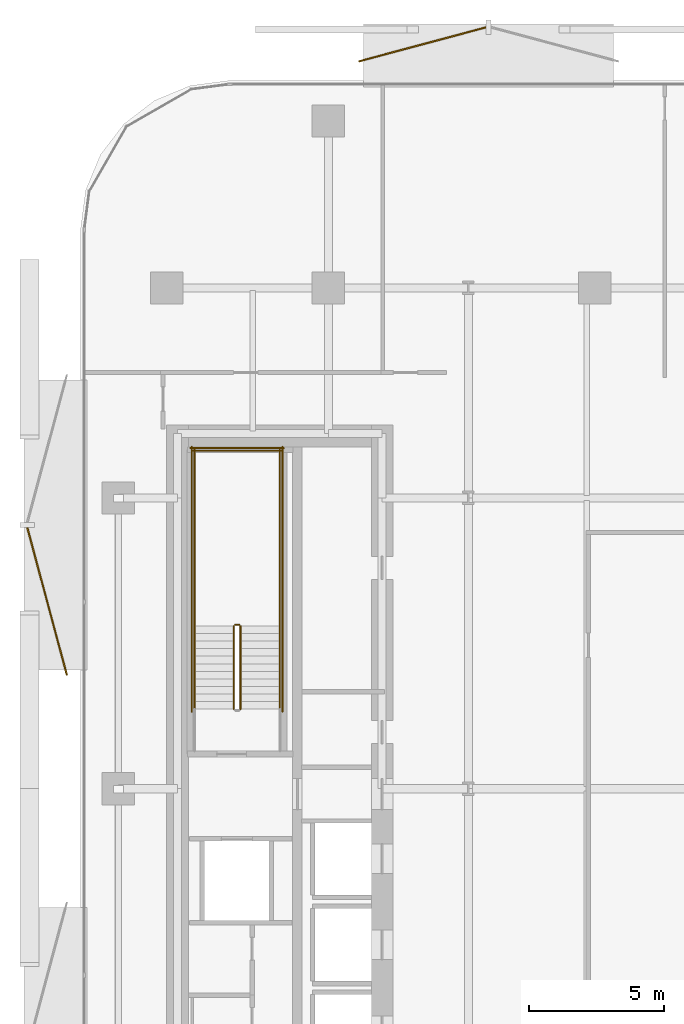
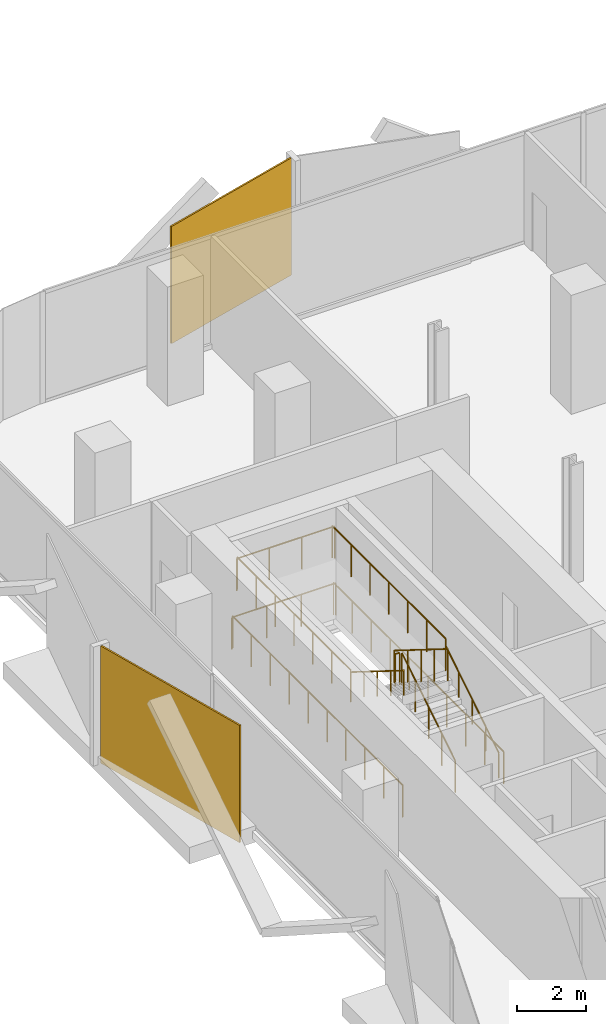
# One storey, part 14 of 15: 11 railings, 2 coverings.
"""IFC4 building model written with IfcOpenShell, lengths in metres."""

import ifcopenshell
import ifcopenshell.guid

model = None  # the IFC model being written
_history = None  # IfcOwnerHistory: only IFC2X3 demands one
_inside = {}  # id of a spatial element -> (the spatial element, [elements in it])
_under = {}  # id of a project, library or spatial element -> (it, [spatial elements below it])
_declared = {}  # id of a project -> (the project, [libraries it declares])
_typed = {}  # id of a type object -> (the type object, [elements of that type])
_made_of = {}  # id of a material, layer set ... -> (it, [elements and type objects made of it])


def new_model(schema):
    """Start an empty IFC model of exactly this schema.

    Asked for "IFC4X3", IfcOpenShell would pick the latest addendum, in which some entities
    have other attributes; the version numbers below select the first issue.
    IFC2X3 requires an IfcOwnerHistory on every rooted entity: one is made here for all.
    """
    global model, _history
    if schema == "IFC4X3":
        model = ifcopenshell.file(schema_version=(4, 3, 0, 0))
    else:
        model = ifcopenshell.file(schema=schema)
    _inside.clear()
    _under.clear()
    _declared.clear()
    _typed.clear()
    _made_of.clear()
    _history = None
    if model.schema == "IFC2X3":
        org = make("IfcOrganization", Name="unknown")
        user = make(
            "IfcPersonAndOrganization",
            ThePerson=make("IfcPerson", FamilyName="unknown"),
            TheOrganization=org,
        )
        app = make(
            "IfcApplication",
            ApplicationDeveloper=org,
            Version="unknown",
            ApplicationFullName="unknown",
            ApplicationIdentifier="unknown",
        )
        _history = make(
            "IfcOwnerHistory",
            OwningUser=user,
            OwningApplication=app,
            ChangeAction="ADDED",
            CreationDate=0,
        )
    return model


def make(cls, **values):
    """One entity of the class cls with the attributes given. An attribute that is None is left unset."""
    return model.create_entity(
        cls, **{name: value for name, value in values.items() if value is not None}
    )


def rooted(cls, **values):
    """An entity with a GlobalId (a new one), such as an element, a storey or a relation."""
    return make(cls, GlobalId=ifcopenshell.guid.new(), OwnerHistory=_history, **values)


def si_unit(unit_type, name, prefix=None):
    """IfcSIUnit, for example si_unit("LENGTHUNIT", "METRE", prefix="MILLI")."""
    return make("IfcSIUnit", UnitType=unit_type, Prefix=prefix, Name=name)


def assignment(units):
    """IfcUnitAssignment: the units of a project."""
    return None if units is None else make("IfcUnitAssignment", Units=units)


def point(xyz):
    """IfcCartesianPoint."""
    return None if xyz is None else make("IfcCartesianPoint", Coordinates=xyz)


def direction(xyz):
    """IfcDirection."""
    return None if xyz is None else make("IfcDirection", DirectionRatios=xyz)


def frame(location, z_axis=None, x_axis=None):
    """IfcAxis2Placement3D, a coordinate frame: its origin and axes. An axis left out is left unset."""
    return make(
        "IfcAxis2Placement3D",
        Location=point(location),
        Axis=direction(z_axis),
        RefDirection=direction(x_axis),
    )


def frame_2d(location, x_axis=None):
    """IfcAxis2Placement2D, a coordinate frame in the plane: its origin and x axis."""
    return make(
        "IfcAxis2Placement2D", Location=point(location), RefDirection=direction(x_axis)
    )


def origin():
    """The frame at (0, 0, 0) with its axes left unset."""
    return frame((0.0, 0.0, 0.0))


def origin_2d():
    """The frame at (0, 0) in the plane with its x axis left unset."""
    return frame_2d((0.0, 0.0))


def place(relative_to, where):
    """IfcLocalPlacement: puts the frame where relative to a parent placement (None: the world)."""
    return make(
        "IfcLocalPlacement", PlacementRelTo=relative_to, RelativePlacement=where
    )


def context(
    kind, dimensions, precision=None, world=None, true_north=None, identifier=None
):
    """IfcGeometricRepresentationContext, for example the 3D "Model" context."""
    return make(
        "IfcGeometricRepresentationContext",
        ContextIdentifier=identifier,
        ContextType=kind,
        CoordinateSpaceDimension=dimensions,
        Precision=precision,
        WorldCoordinateSystem=world,
        TrueNorth=true_north,
    )


def subcontext(parent, identifier, kind, view, scale=None):
    """IfcGeometricRepresentationSubContext, for example "Body" below "Model"."""
    return make(
        "IfcGeometricRepresentationSubContext",
        ContextIdentifier=identifier,
        ContextType=kind,
        ParentContext=parent,
        TargetScale=scale,
        TargetView=view,
    )


def project(units=None, contexts=None):
    """IfcProject with its units and contexts."""
    return rooted(
        "IfcProject",
        Name="project",
        RepresentationContexts=contexts,
        UnitsInContext=assignment(units),
    )


def spatial(cls, under=None, at=None, **own):
    """A site, building, storey or space (cls), placed at a placement, below another one or the project."""
    s = rooted(cls, ObjectPlacement=at, **own)
    if under is not None:
        _under.setdefault(under.id(), (under, []))[1].append(s)
    return s


def profile(cls, at=None, kind="AREA", **sizes):
    """A parametric profile (cls). Its sizes go by their IFC names, for example OverallWidth=200.0."""
    return make(cls, ProfileType=kind, Position=at, **sizes)


def rectangle(**sizes):
    """IfcRectangleProfileDef."""
    return profile("IfcRectangleProfileDef", **sizes)


def circle(**sizes):
    """IfcCircleProfileDef."""
    return profile("IfcCircleProfileDef", **sizes)


def extrude(swept, where, along, depth):
    """IfcExtrudedAreaSolid: the profile swept, set in the frame where, extruded along a direction by depth."""
    return make(
        "IfcExtrudedAreaSolid",
        SweptArea=swept,
        Position=where,
        ExtrudedDirection=direction(along),
        Depth=depth,
    )


def shape(context_of_items, identifier, shape_type, items):
    """IfcShapeRepresentation: the items that make up one representation, for example the "Body"."""
    return make(
        "IfcShapeRepresentation",
        ContextOfItems=context_of_items,
        RepresentationIdentifier=identifier,
        RepresentationType=shape_type,
        Items=items,
    )


def material(Name=None, Category=None):
    """IfcMaterial."""
    return make("IfcMaterial", Name=Name, Category=Category)


def layer(
    of_material, thickness, ventilated=None, Name=None, Category=None, Priority=None
):
    """IfcMaterialLayer: one layer of a wall or slab, of a material (None: an air gap)."""
    return make(
        "IfcMaterialLayer",
        Material=of_material,
        LayerThickness=thickness,
        IsVentilated=ventilated,
        Name=Name,
        Category=Category,
        Priority=Priority,
    )


def layer_set(layers, Name=None):
    """IfcMaterialLayerSet."""
    return make("IfcMaterialLayerSet", MaterialLayers=layers, LayerSetName=Name)


def made_of(thing, what):
    """Note that an element or type object is made of a material, layer set ...; save() writes the relation."""
    if what is not None:
        _made_of.setdefault(what.id(), (what, []))[1].append(thing)
    return thing


def type_object(cls, material=None, **own):
    """A type object (cls), such as IfcWallType, which elements share."""
    return made_of(rooted(cls, **own), material)


def element(
    cls,
    number,
    at=None,
    inside=None,
    cuts=None,
    type_object=None,
    material=None,
    context=None,
    identifier="Body",
    shape_type=None,
    held_by="IfcProductDefinitionShape",
    body=None,
    shapes=None,
    **own,
):
    """One element of the class cls, such as IfcWall. Its Tag is "e" and its number.

    at: its placement. inside: the storey or other place that contains it. cuts: it is an
    opening in that element (IfcRelVoidsElement). A single representation is given by context,
    identifier, shape_type and body (its items); several are given by shapes. held_by: the class
    of the entity that holds the representations. save() writes the other relations.
    """
    e = rooted(cls, Tag="e%d" % number, ObjectPlacement=at, **own)
    if body is not None:
        shapes = [shape(context, identifier, shape_type, body)]
    if shapes is not None:
        e.Representation = make(held_by, Representations=shapes)
    if inside is not None:
        _inside.setdefault(inside.id(), (inside, []))[1].append(e)
    if cuts is not None:
        rooted(
            "IfcRelVoidsElement", RelatingBuildingElement=cuts, RelatedOpeningElement=e
        )
    if type_object is not None:
        _typed.setdefault(type_object.id(), (type_object, []))[1].append(e)
    return made_of(e, material)


def aggregate(whole, parts):
    """IfcRelAggregates: a whole, such as a stair, and the parts it consists of."""
    return rooted("IfcRelAggregates", RelatingObject=whole, RelatedObjects=parts)


def save(model, path):
    """Write the relations noted so far, then the file.

    IfcRelAggregates (storeys below a building ...), IfcRelContainedInSpatialStructure (elements
    in a storey), IfcRelDefinesByType, IfcRelAssociatesMaterial and IfcRelDeclares: one each for
    every whole, place, type object, material and project.
    """
    for whole, parts in _under.values():
        aggregate(whole, parts)
    for where, things in _inside.values():
        rooted(
            "IfcRelContainedInSpatialStructure",
            RelatedElements=things,
            RelatingStructure=where,
        )
    for kind, things in _typed.values():
        rooted("IfcRelDefinesByType", RelatedObjects=things, RelatingType=kind)
    for what, things in _made_of.values():
        rooted("IfcRelAssociatesMaterial", RelatedObjects=things, RelatingMaterial=what)
    for by, libraries in _declared.values():
        rooted("IfcRelDeclares", RelatingContext=by, RelatedDefinitions=libraries)
    model.write(path)


model = new_model("IFC4")

# Units and contexts
model_context = context("Model", 3, precision=1e-05, world=origin(), true_north=direction((0.0, 1.0)))
body_context = subcontext(model_context, "Body", "Model", "MODEL_VIEW")
ifc_project = project(units=[si_unit("LENGTHUNIT", "METRE"), si_unit("AREAUNIT", "SQUARE_METRE"), si_unit("VOLUMEUNIT", "CUBIC_METRE"), si_unit("PLANEANGLEUNIT", "RADIAN"), si_unit("MASSUNIT", "GRAM", prefix="KILO")], contexts=[model_context])

# Site, building, storey
site_placement = place(None, origin())
site = spatial("IfcSite", under=ifc_project, at=site_placement, CompositionType="ELEMENT")
building_placement = place(site_placement, origin())
building = spatial("IfcBuilding", under=site, at=building_placement, Name="Khairoan Windgate Tower", CompositionType="ELEMENT")
storey_placement = place(building_placement, frame((0.0, 0.0, 118.39990234375)))
storey = spatial("IfcBuildingStorey", under=building, at=storey_placement, Name="L27", CompositionType="ELEMENT", Elevation=118.39990234375)

# Coverings
ifc_material_1 = material(Name="Anodised Bronze Aluminium 6063-T6", Category="aluminium")
ifc_layer = layer(ifc_material_1, 0.054931640625, Name="Anodised Bronze Aluminium 6063-T6")
ifc_layer_set = layer_set([ifc_layer], Name="Anodised Bronze Aluminium 6063-T6")
covering_type = type_object("IfcCoveringType", Name="Perforated Bronze-Ceramic Folded Solar Screen Cladding BSC-1", PredefinedType="CLADDING", material=ifc_layer_set)
covering_1_placement = place(storey_placement, frame((-24.8447265625, 6.961669921875, -0.099609375), z_axis=(0.0, 0.0, 1.0), x_axis=(-0.258819045103, 0.965925826289, 0.0)))
element("IfcCovering", 1, at=covering_1_placement, inside=storey, type_object=covering_type, Name="L27 Folded Bronze Solar Screen Facet 164L", PredefinedType="CLADDING", context=body_context, shape_type="SweptSolid", body=[
    extrude(rectangle(XDim=5.680908203125, YDim=0.054931640625, at=origin_2d()), origin(), (0.0, 0.0, 1.0), 4.139892578125),
])
covering_2_placement = place(storey_placement, frame((-10.90087890625, 27.646240234375, -0.099609375), z_axis=(0.0, 0.0, 1.0), x_axis=(0.965925826289, 0.258819045103, 0.0)))
element("IfcCovering", 2, at=covering_2_placement, inside=storey, type_object=covering_type, Name="L27 Folded Bronze Solar Screen Facet 165L", PredefinedType="CLADDING", context=body_context, shape_type="SweptSolid", body=[
    extrude(rectangle(XDim=4.89794921875, YDim=0.054931640625, at=origin_2d()), origin(), (0.0, 0.0, 1.0), 4.139892578125),
])

# Railings
ifc_material_2 = material(Name="Anodised Bronze Aluminium 6063-T6", Category="aluminium")
railing_type_1 = type_object("IfcRailingType", Name="Stair Wall Handrail SHR-900", PredefinedType="HANDRAIL", material=ifc_material_2)
railing_1_placement = place(storey_placement, frame((-16.199951171875, 2.9599609375, 0.175048828125)))
element("IfcRailing", 3, at=railing_1_placement, inside=storey, type_object=railing_type_1, Name="L27 ST2 stair handrail 1", PredefinedType="HANDRAIL", context=body_context, shape_type="SweptSolid", body=[
    extrude(circle(Radius=0.02392578125, at=origin_2d()), frame((0.0, 0.0, 0.8759765625), z_axis=(0.0, 0.847998304005, 0.529998940003), x_axis=(-1.0, 0.0, 0.0)), (0.0, 0.0, 1.0), 3.632080078125),
    extrude(circle(Radius=0.02099609375, at=origin_2d()), origin(), (0.0, 0.0, 1.0), 0.851806640625),
    extrude(circle(Radius=0.02099609375, at=origin_2d()), frame((0.0, 0.77001953125, 0.481201171875)), (0.0, 0.0, 1.0), 0.851806640625),
    extrude(circle(Radius=0.02099609375, at=origin_2d()), frame((0.0, 1.5400390625, 0.96240234375)), (0.0, 0.0, 1.0), 0.851806640625),
    extrude(circle(Radius=0.02099609375, at=origin_2d()), frame((0.0, 2.31005859375, 1.44384765625)), (0.0, 0.0, 1.0), 0.851806640625),
    extrude(circle(Radius=0.02099609375, at=origin_2d()), frame((0.0, 3.080078125, 1.925048828125)), (0.0, 0.0, 1.0), 0.851806640625),
])
railing_2_placement = place(storey_placement, frame((-19.3701171875, 6.0400390625, 2.275146484375)))
element("IfcRailing", 4, at=railing_2_placement, inside=storey, type_object=railing_type_1, Name="L27 ST2 stair handrail 2", PredefinedType="HANDRAIL", context=body_context, shape_type="SweptSolid", body=[
    extrude(circle(Radius=0.02392578125, at=origin_2d()), frame((0.0, 0.0, 0.8759765625), z_axis=(0.0, -0.847998304005, 0.529998940003), x_axis=(1.0, 0.0, 0.0)), (0.0, 0.0, 1.0), 3.632080078125),
    extrude(circle(Radius=0.02099609375, at=origin_2d()), origin(), (0.0, 0.0, 1.0), 0.851806640625),
    extrude(circle(Radius=0.02099609375, at=origin_2d()), frame((0.0, -0.77001953125, 0.481201171875)), (0.0, 0.0, 1.0), 0.851806640625),
    extrude(circle(Radius=0.02099609375, at=origin_2d()), frame((0.0, -1.5400390625, 0.96240234375)), (0.0, 0.0, 1.0), 0.851806640625),
    extrude(circle(Radius=0.02099609375, at=origin_2d()), frame((0.0, -2.31005859375, 1.44384765625)), (0.0, 0.0, 1.0), 0.851806640625),
    extrude(circle(Radius=0.02099609375, at=origin_2d()), frame((0.0, -3.080078125, 1.925048828125)), (0.0, 0.0, 1.0), 0.851806640625),
])
ifc_material_3 = material(Name="Steel S355", Category="steel")
railing_type_2 = type_object("IfcRailingType", Name="Stairwell Safety Guardrail SGR-1150", PredefinedType="GUARDRAIL", material=ifc_material_3)
railing_3_placement = place(storey_placement, frame((-17.659912109375, 2.9599609375, 0.175048828125)))
element("IfcRailing", 5, at=railing_3_placement, inside=storey, type_object=railing_type_2, Name="L27 ST2 stair guard 1", PredefinedType="GUARDRAIL", context=body_context, shape_type="SweptSolid", body=[
    extrude(circle(Radius=0.02392578125, at=origin_2d()), frame((0.0, 0.0, 1.1259765625), z_axis=(0.0, 0.847998304005, 0.529998940003), x_axis=(-1.0, 0.0, 0.0)), (0.0, 0.0, 1.0), 3.632080078125),
    extrude(circle(Radius=0.02099609375, at=origin_2d()), origin(), (0.0, 0.0, 1.0), 1.101806640625),
    extrude(circle(Radius=0.02099609375, at=origin_2d()), frame((0.0, 0.77001953125, 0.481201171875)), (0.0, 0.0, 1.0), 1.101806640625),
    extrude(circle(Radius=0.02099609375, at=origin_2d()), frame((0.0, 1.5400390625, 0.96240234375)), (0.0, 0.0, 1.0), 1.101806640625),
    extrude(circle(Radius=0.02099609375, at=origin_2d()), frame((0.0, 2.31005859375, 1.44384765625)), (0.0, 0.0, 1.0), 1.101806640625),
    extrude(circle(Radius=0.02099609375, at=origin_2d()), frame((0.0, 3.080078125, 1.925048828125)), (0.0, 0.0, 1.0), 1.101806640625),
])
railing_4_placement = place(storey_placement, frame((-17.7099609375, 6.090087890625, 2.10009765625)))
element("IfcRailing", 6, at=railing_4_placement, inside=storey, type_object=railing_type_2, Name="L27 ST2 stair guard 2", PredefinedType="GUARDRAIL", context=body_context, shape_type="SweptSolid", body=[
    extrude(circle(Radius=0.02392578125, at=origin_2d()), frame((0.0, 0.0, 1.1259765625), z_axis=(-1.0, 0.0, 0.0), x_axis=(0.0, -1.0, 0.0)), (0.0, 0.0, 1.0), 0.150146484375),
    extrude(circle(Radius=0.02099609375, at=origin_2d()), origin(), (0.0, 0.0, 1.0), 1.101806640625),
    extrude(circle(Radius=0.02099609375, at=origin_2d()), frame((-0.150146484375, 0.0, 0.0)), (0.0, 0.0, 1.0), 1.101806640625),
])
for number, where, name in (
    (7, (-16.199951171875, 6.0400390625, 2.10009765625), "L27 ST2 stair guard 3"),
    (8, (-19.3701171875, 6.0400390625, 2.10009765625), "L27 ST2 stair guard 4"),
):
    element("IfcRailing", number, at=place(storey_placement, frame(where)), inside=storey, type_object=railing_type_2, Name=name, PredefinedType="GUARDRAIL", context=body_context, shape_type="SweptSolid", body=[
        extrude(circle(Radius=0.02392578125, at=origin_2d()), frame((0.0, 0.0, 1.1259765625), z_axis=(0.0, 1.0, 0.0), x_axis=(-1.0, 0.0, 0.0)), (0.0, 0.0, 1.0), 6.56005859375),
        extrude(circle(Radius=0.02099609375, at=origin_2d()), origin(), (0.0, 0.0, 1.0), 1.101806640625),
        extrude(circle(Radius=0.02099609375, at=origin_2d()), frame((0.0, 1.09326171875, 0.0)), (0.0, 0.0, 1.0), 1.101806640625),
        extrude(circle(Radius=0.02099609375, at=origin_2d()), frame((0.0, 2.186767578125, 0.0)), (0.0, 0.0, 1.0), 1.101806640625),
        extrude(circle(Radius=0.02099609375, at=origin_2d()), frame((0.0, 3.280029296875, 0.0)), (0.0, 0.0, 1.0), 1.101806640625),
        extrude(circle(Radius=0.02099609375, at=origin_2d()), frame((0.0, 4.373291015625, 0.0)), (0.0, 0.0, 1.0), 1.101806640625),
        extrude(circle(Radius=0.02099609375, at=origin_2d()), frame((0.0, 5.466796875, 0.0)), (0.0, 0.0, 1.0), 1.101806640625),
        extrude(circle(Radius=0.02099609375, at=origin_2d()), frame((0.0, 6.56005859375, 0.0)), (0.0, 0.0, 1.0), 1.101806640625),
    ])
railing_5_placement = place(storey_placement, frame((-16.14990234375, 12.550048828125, 2.10009765625)))
element("IfcRailing", 9, at=railing_5_placement, inside=storey, type_object=railing_type_2, Name="L27 ST2 stair guard 5", PredefinedType="GUARDRAIL", context=body_context, shape_type="SweptSolid", body=[
    extrude(circle(Radius=0.02392578125, at=origin_2d()), frame((0.0, 0.0, 1.1259765625), z_axis=(-1.0, 0.0, 0.0), x_axis=(0.0, -1.0, 0.0)), (0.0, 0.0, 1.0), 3.27001953125),
    extrude(circle(Radius=0.02099609375, at=origin_2d()), origin(), (0.0, 0.0, 1.0), 1.101806640625),
    extrude(circle(Radius=0.02099609375, at=origin_2d()), frame((-1.090087890625, 0.0, 0.0)), (0.0, 0.0, 1.0), 1.101806640625),
    extrude(circle(Radius=0.02099609375, at=origin_2d()), frame((-2.179931640625, 0.0, 0.0)), (0.0, 0.0, 1.0), 1.101806640625),
    extrude(circle(Radius=0.02099609375, at=origin_2d()), frame((-3.27001953125, 0.0, 0.0)), (0.0, 0.0, 1.0), 1.101806640625),
])
railing_6_placement = place(storey_placement, frame((-17.909912109375, 6.0400390625, 2.275146484375)))
element("IfcRailing", 10, at=railing_6_placement, inside=storey, type_object=railing_type_2, Name="L27 ST2 stair guard 6", PredefinedType="GUARDRAIL", context=body_context, shape_type="SweptSolid", body=[
    extrude(circle(Radius=0.02392578125, at=origin_2d()), frame((0.0, 0.0, 1.1259765625), z_axis=(0.0, -0.847998304005, 0.529998940003), x_axis=(1.0, 0.0, 0.0)), (0.0, 0.0, 1.0), 3.632080078125),
    extrude(circle(Radius=0.02099609375, at=origin_2d()), origin(), (0.0, 0.0, 1.0), 1.101806640625),
    extrude(circle(Radius=0.02099609375, at=origin_2d()), frame((0.0, -0.77001953125, 0.481201171875)), (0.0, 0.0, 1.0), 1.101806640625),
    extrude(circle(Radius=0.02099609375, at=origin_2d()), frame((0.0, -1.5400390625, 0.96240234375)), (0.0, 0.0, 1.0), 1.101806640625),
    extrude(circle(Radius=0.02099609375, at=origin_2d()), frame((0.0, -2.31005859375, 1.44384765625)), (0.0, 0.0, 1.0), 1.101806640625),
    extrude(circle(Radius=0.02099609375, at=origin_2d()), frame((0.0, -3.080078125, 1.925048828125)), (0.0, 0.0, 1.0), 1.101806640625),
])
for number, where, name in (
    (11, (-16.10009765625, 2.860107421875, 0.0), "L27 ST2 stair guard 10"),
    (12, (-19.469970703125, 2.860107421875, 0.0), "L27 ST2 stair guard 11"),
):
    element("IfcRailing", number, at=place(storey_placement, frame(where)), inside=storey, type_object=railing_type_2, Name=name, PredefinedType="GUARDRAIL", context=body_context, shape_type="SweptSolid", body=[
        extrude(circle(Radius=0.02392578125, at=origin_2d()), frame((0.0, 0.0, 1.1259765625), z_axis=(0.0, 1.0, 0.0), x_axis=(-1.0, 0.0, 0.0)), (0.0, 0.0, 1.0), 9.83984375),
        extrude(circle(Radius=0.02099609375, at=origin_2d()), origin(), (0.0, 0.0, 1.0), 1.101806640625),
        extrude(circle(Radius=0.02099609375, at=origin_2d()), frame((0.0, 1.09326171875, 0.0)), (0.0, 0.0, 1.0), 1.101806640625),
        extrude(circle(Radius=0.02099609375, at=origin_2d()), frame((0.0, 2.1865234375, 0.0)), (0.0, 0.0, 1.0), 1.101806640625),
        extrude(circle(Radius=0.02099609375, at=origin_2d()), frame((0.0, 3.280029296875, 0.0)), (0.0, 0.0, 1.0), 1.101806640625),
        extrude(circle(Radius=0.02099609375, at=origin_2d()), frame((0.0, 4.373291015625, 0.0)), (0.0, 0.0, 1.0), 1.101806640625),
        extrude(circle(Radius=0.02099609375, at=origin_2d()), frame((0.0, 5.466552734375, 0.0)), (0.0, 0.0, 1.0), 1.101806640625),
        extrude(circle(Radius=0.02099609375, at=origin_2d()), frame((0.0, 6.559814453125, 0.0)), (0.0, 0.0, 1.0), 1.101806640625),
        extrude(circle(Radius=0.02099609375, at=origin_2d()), frame((0.0, 7.6533203125, 0.0)), (0.0, 0.0, 1.0), 1.101806640625),
        extrude(circle(Radius=0.02099609375, at=origin_2d()), frame((0.0, 8.74658203125, 0.0)), (0.0, 0.0, 1.0), 1.101806640625),
        extrude(circle(Radius=0.02099609375, at=origin_2d()), frame((0.0, 9.83984375, 0.0)), (0.0, 0.0, 1.0), 1.101806640625),
    ])
railing_7_placement = place(storey_placement, frame((-16.050048828125, 12.64990234375, 0.0)))
element("IfcRailing", 13, at=railing_7_placement, inside=storey, type_object=railing_type_2, Name="L27 ST2 stair guard 12", PredefinedType="GUARDRAIL", context=body_context, shape_type="SweptSolid", body=[
    extrude(circle(Radius=0.02392578125, at=origin_2d()), frame((0.0, 0.0, 1.1259765625), z_axis=(-1.0, 0.0, 0.0), x_axis=(0.0, -1.0, 0.0)), (0.0, 0.0, 1.0), 3.469970703125),
    extrude(circle(Radius=0.02099609375, at=origin_2d()), origin(), (0.0, 0.0, 1.0), 1.101806640625),
    extrude(circle(Radius=0.02099609375, at=origin_2d()), frame((-1.15673828125, 0.0, 0.0)), (0.0, 0.0, 1.0), 1.101806640625),
    extrude(circle(Radius=0.02099609375, at=origin_2d()), frame((-2.313232421875, 0.0, 0.0)), (0.0, 0.0, 1.0), 1.101806640625),
    extrude(circle(Radius=0.02099609375, at=origin_2d()), frame((-3.469970703125, 0.0, 0.0)), (0.0, 0.0, 1.0), 1.101806640625),
])

save(model, "model.ifc")
